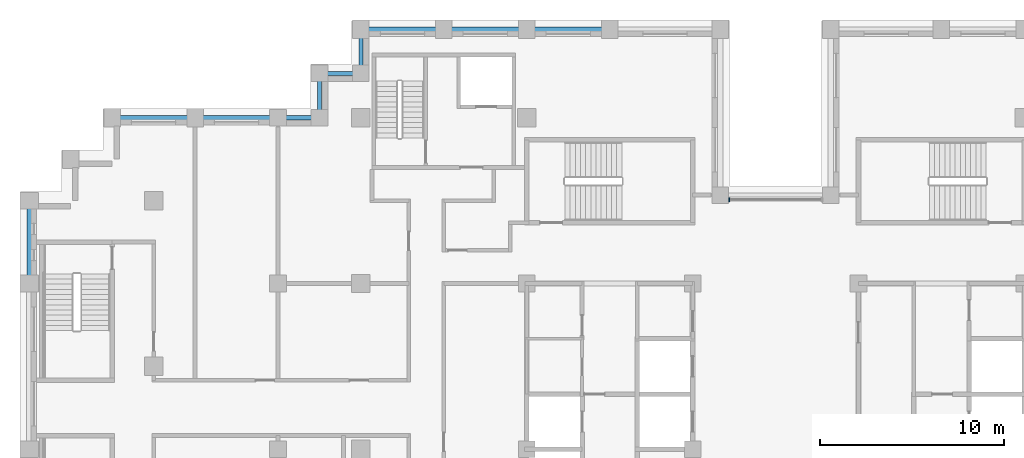
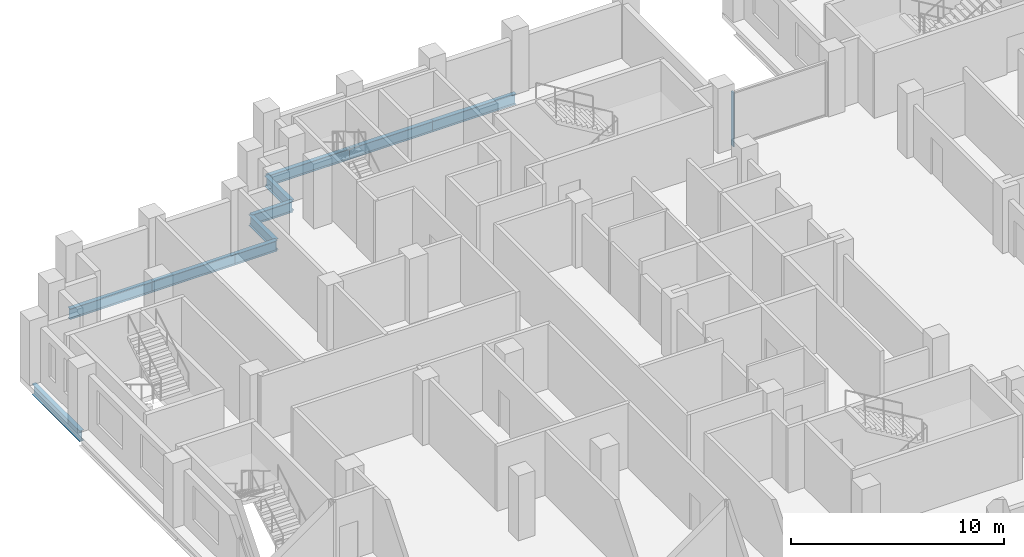
# One storey, part 3 of 15: 10 beams, 1 member, 1 element without a shape of its own.
"""IFC4 building model written with IfcOpenShell, lengths in metres."""

from ifc_helpers import new_model, si_unit, direction, frame, origin, origin_2d, place, context, subcontext, project, spatial, rectangle, i_section, extrude, material, layer, layer_set, material_profile, profile_set, type_object, element, aggregate, save


model = new_model("IFC4")

# Units and contexts
model_context = context("Model", 3, precision=1e-05, world=origin(), true_north=direction((0.0, 1.0)))
body_context = subcontext(model_context, "Body", "Model", "MODEL_VIEW")
ifc_project = project(units=[si_unit("LENGTHUNIT", "METRE"), si_unit("AREAUNIT", "SQUARE_METRE"), si_unit("VOLUMEUNIT", "CUBIC_METRE"), si_unit("PLANEANGLEUNIT", "RADIAN"), si_unit("MASSUNIT", "GRAM", prefix="KILO")], contexts=[model_context])

# Site, building, storey
site_placement = place(None, origin())
site = spatial("IfcSite", under=ifc_project, at=site_placement, CompositionType="ELEMENT")
building_placement = place(site_placement, origin())
building = spatial("IfcBuilding", under=site, at=building_placement, Name="Corbelhall Arena Tower", CompositionType="ELEMENT")
storey_placement = place(building_placement, frame((0.0, 0.0, 188.0)))
storey = spatial("IfcBuildingStorey", under=building, at=storey_placement, Name="L38", CompositionType="ELEMENT", Elevation=188.0)

# Curtain wall, member
ifc_material_1 = material(Name="Aluminium black anodised", Category="aluminium")
ifc_layer = layer(ifc_material_1, 0.199951171875)
ifc_layer_set = layer_set([ifc_layer], Name="EV-CW1 Slot back wall")
curtain_wall_type = type_object("IfcCurtainWallType", Name="EV-CW1 Slot back wall", PredefinedType="NOTDEFINED", material=ifc_layer_set)
curtain_wall_placement = place(storey_placement, origin())
curtain_wall = element("IfcCurtainWall", 1, at=curtain_wall_placement, inside=storey, type_object=curtain_wall_type, Name="Curtain wall CW1", PredefinedType="NOTDEFINED")
ifc_material_profile_1 = material_profile(ifc_material_1, rectangle(XDim=0.199951171875, YDim=0.074951171875, at=origin_2d()))
ifc_profile_set_1 = profile_set([ifc_material_profile_1], Name="Aluminium black anodised")
member_type = type_object("IfcMemberType", Name="EV-CW1-MULLION", PredefinedType="MULLION", material=ifc_profile_set_1)
member_placement = place(storey_placement, frame((-2.512451171875, 13.550048828125, 0.0), z_axis=(0.0, 0.0, 1.0), x_axis=(0.0, -1.0, 0.0)))
member = element("IfcMember", 2, at=member_placement, type_object=member_type, Name="CW1 mullion 2", PredefinedType="MULLION", context=body_context, shape_type="SweptSolid", body=[
    extrude(rectangle(XDim=0.199951171875, YDim=0.074951171875, at=origin_2d()), origin(), (0.0, 0.0, 1.0), 3.1201171875),
])
aggregate(curtain_wall, [member])

# Beams
ifc_material_2 = material(Name="Steel ASTM A992 Gr50", Category="steel")
ifc_material_profile_2 = material_profile(ifc_material_2, i_section(OverallWidth=0.228271484375, OverallDepth=0.607177734375, WebThickness=0.01123046875, FlangeThickness=0.017333984375, at=origin_2d()))
ifc_profile_set_2 = profile_set([ifc_material_profile_2], Name="Steel ASTM A992 Gr50")
beam_type = type_object("IfcBeamType", Name="ST-SPANDREL-W24x76", PredefinedType="SPANDREL", material=ifc_profile_set_2)
for number, where, z_axis, x_axis, name in (
    (3, (-40.5, 9.0, -0.58349609375), (0.0, 1.0, 0.0), (-1.0, 0.0, 0.0), "Beam SP 2"),
    (4, (-31.5, 18.0, -0.58349609375), (1.0, 0.0, 0.0), (0.0, 1.0, 0.0), "Beam SP 5"),
    (5, (-36.0, 18.0, -0.58349609375), (1.0, 0.0, 0.0), (0.0, 1.0, 0.0), "Beam SP 6"),
    (6, (-13.5, 22.800048828125, -0.58349609375), (1.0, 0.0, 0.0), (0.0, 1.0, 0.0), "Beam SP 20"),
    (7, (-18.0, 22.800048828125, -0.58349609375), (1.0, 0.0, 0.0), (0.0, 1.0, 0.0), "Beam SP 21"),
    (8, (-22.5, 22.800048828125, -0.58349609375), (1.0, 0.0, 0.0), (0.0, 1.0, 0.0), "Beam SP 22"),
):
    element("IfcBeam", number, at=place(storey_placement, frame(where, z_axis=z_axis, x_axis=x_axis)), inside=storey, type_object=beam_type, Name=name, PredefinedType="SPANDREL", context=body_context, shape_type="SweptSolid", body=[
        extrude(i_section(OverallWidth=0.228271484375, OverallDepth=0.607177734375, WebThickness=0.01123046875, FlangeThickness=0.017333984375, at=origin_2d()), origin(), (0.0, 0.0, 1.0), 4.5),
    ])
beam_1_placement = place(storey_placement, frame((-27.0, 18.0, -0.58349609375), z_axis=(1.0, 0.0, 0.0), x_axis=(0.0, 1.0, 0.0)))
element("IfcBeam", 9, at=beam_1_placement, inside=storey, type_object=beam_type, Name="Beam SP 33", PredefinedType="SPANDREL", context=body_context, shape_type="SweptSolid", body=[
    extrude(i_section(OverallWidth=0.228271484375, OverallDepth=0.607177734375, WebThickness=0.01123046875, FlangeThickness=0.017333984375, at=origin_2d()), origin(), (0.0, 0.0, 1.0), 2.25),
])
beam_2_placement = place(storey_placement, frame((-22.5, 20.39990234375, -0.58349609375), z_axis=(0.0, 1.0, 0.0), x_axis=(-1.0, 0.0, 0.0)))
element("IfcBeam", 10, at=beam_2_placement, inside=storey, type_object=beam_type, Name="Beam SP 42", PredefinedType="SPANDREL", context=body_context, shape_type="SweptSolid", body=[
    extrude(i_section(OverallWidth=0.228271484375, OverallDepth=0.607177734375, WebThickness=0.01123046875, FlangeThickness=0.017333984375, at=origin_2d()), origin(), (0.0, 0.0, 1.0), 2.400146484375),
])
beam_3_placement = place(storey_placement, frame((-24.75, 20.39990234375, -0.58349609375), z_axis=(1.0, 0.0, 0.0), x_axis=(0.0, 1.0, 0.0)))
element("IfcBeam", 11, at=beam_3_placement, inside=storey, type_object=beam_type, Name="Beam SP 43", PredefinedType="SPANDREL", context=body_context, shape_type="SweptSolid", body=[
    extrude(i_section(OverallWidth=0.228271484375, OverallDepth=0.607177734375, WebThickness=0.01123046875, FlangeThickness=0.017333984375, at=origin_2d()), origin(), (0.0, 0.0, 1.0), 2.25),
])
beam_4_placement = place(storey_placement, frame((-24.75, 18.0, -0.58349609375), z_axis=(0.0, 1.0, 0.0), x_axis=(-1.0, 0.0, 0.0)))
element("IfcBeam", 12, at=beam_4_placement, inside=storey, type_object=beam_type, Name="Beam SP 44", PredefinedType="SPANDREL", context=body_context, shape_type="SweptSolid", body=[
    extrude(i_section(OverallWidth=0.228271484375, OverallDepth=0.607177734375, WebThickness=0.01123046875, FlangeThickness=0.017333984375, at=origin_2d()), origin(), (0.0, 0.0, 1.0), 2.39990234375),
])

save(model, "model.ifc")
